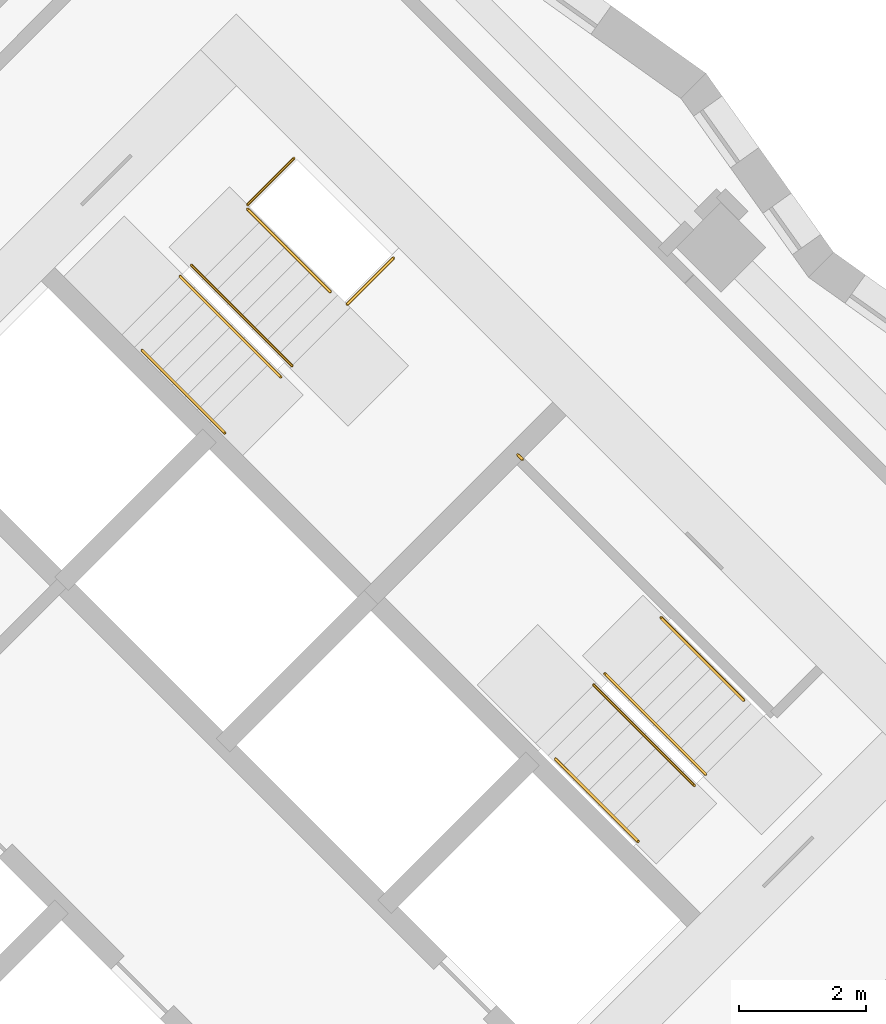
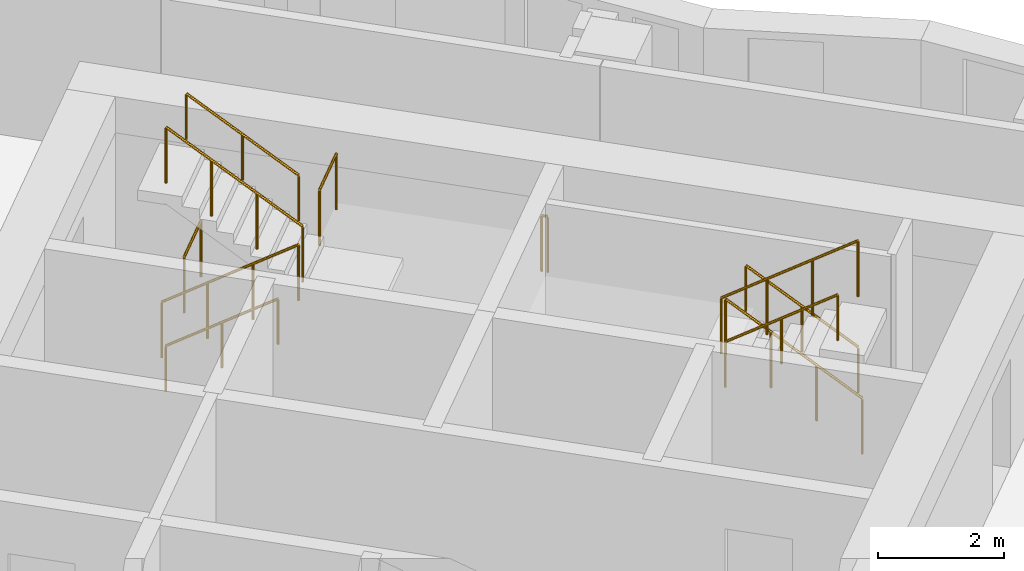
# One storey, part 13 of 13: 11 railings.
"""IFC4 building model written with IfcOpenShell, lengths in metres."""

from ifc_helpers import new_model, si_unit, direction, frame, origin, origin_2d, place, context, subcontext, project, spatial, circle, extrude, material, type_object, element, save


model = new_model("IFC4")

# Units and contexts
model_context = context("Model", 3, precision=1e-05, world=origin(), true_north=direction((0.0, 1.0)))
body_context = subcontext(model_context, "Body", "Model", "MODEL_VIEW")
ifc_project = project(units=[si_unit("LENGTHUNIT", "METRE"), si_unit("AREAUNIT", "SQUARE_METRE"), si_unit("VOLUMEUNIT", "CUBIC_METRE"), si_unit("PLANEANGLEUNIT", "RADIAN"), si_unit("MASSUNIT", "GRAM", prefix="KILO")], contexts=[model_context])

# Site, building, storey
site_placement = place(None, origin())
site = spatial("IfcSite", under=ifc_project, at=site_placement, CompositionType="ELEMENT")
building_placement = place(site_placement, origin())
building = spatial("IfcBuilding", under=site, at=building_placement, Name="Windrow Commons", CompositionType="ELEMENT")
storey_placement = place(building_placement, frame((0.0, 0.0, 111.8)))
storey = spatial("IfcBuildingStorey", under=building, at=storey_placement, Name="L30", CompositionType="ELEMENT", Elevation=111.8)

# Railings
ifc_material_1 = material(Name="Steel S355", Category="steel")
railing_type_1 = type_object("IfcRailingType", Name="Core stair guard 1100", PredefinedType="GUARDRAIL", material=ifc_material_1)
railing_1_placement = place(storey_placement, frame((85.9529, 56.2669, 0.1889)))
element("IfcRailing", 1, at=railing_1_placement, inside=storey, type_object=railing_type_1, Name="L30 ST-B1 stair guard 1", PredefinedType="GUARDRAIL", context=body_context, shape_type="SweptSolid", body=[
    extrude(circle(Radius=0.024, at=origin_2d()), frame((0.0, 0.0, 1.076), z_axis=(0.5861914914, -0.5861914914, 0.5592486664), x_axis=(0.7071067812, 0.7071067812, 0.0)), (0.0, 0.0, 1.0), 2.702),
    extrude(circle(Radius=0.021, at=origin_2d()), origin(), (0.0, 0.0, 1.0), 1.052),
    extrude(circle(Radius=0.021, at=origin_2d()), frame((0.528, -0.528, 0.5037)), (0.0, 0.0, 1.0), 1.052),
    extrude(circle(Radius=0.021, at=origin_2d()), frame((1.0559, -1.0559, 1.0074)), (0.0, 0.0, 1.0), 1.052),
    extrude(circle(Radius=0.021, at=origin_2d()), frame((1.5839, -1.5839, 1.5111)), (0.0, 0.0, 1.0), 1.052),
])
railing_2_placement = place(storey_placement, frame((87.7136, 54.8597, 1.8889)))
element("IfcRailing", 2, at=railing_2_placement, inside=storey, type_object=railing_type_1, Name="L30 ST-B1 stair guard 2", PredefinedType="GUARDRAIL", context=body_context, shape_type="SweptSolid", body=[
    extrude(circle(Radius=0.024, at=origin_2d()), frame((0.0, 0.0, 1.076), z_axis=(-0.5862030657, 0.5862030657, 0.5592244018), x_axis=(-0.7071067812, -0.7071067812, 0.0)), (0.0, 0.0, 1.0), 2.7021),
    extrude(circle(Radius=0.021, at=origin_2d()), origin(), (0.0, 0.0, 1.0), 1.052),
    extrude(circle(Radius=0.021, at=origin_2d()), frame((-0.528, 0.528, 0.5037)), (0.0, 0.0, 1.0), 1.052),
    extrude(circle(Radius=0.021, at=origin_2d()), frame((-1.056, 1.056, 1.0074)), (0.0, 0.0, 1.0), 1.052),
    extrude(circle(Radius=0.021, at=origin_2d()), frame((-1.584, 1.584, 1.5111)), (0.0, 0.0, 1.0), 1.052),
])
railing_3_placement = place(storey_placement, frame((87.0135, 57.3982, 0.0)))
element("IfcRailing", 3, at=railing_3_placement, inside=storey, type_object=railing_type_1, Name="L30 ST-B1 stair guard 3", PredefinedType="GUARDRAIL", context=body_context, shape_type="SweptSolid", body=[
    extrude(circle(Radius=0.024, at=origin_2d()), frame((0.0, 0.0, 1.076), z_axis=(0.7070582378, 0.7071553212, 0.0), x_axis=(-0.7071553212, 0.7070582378, 0.0)), (0.0, 0.0, 1.0), 1.03),
    extrude(circle(Radius=0.021, at=origin_2d()), origin(), (0.0, 0.0, 1.0), 1.052),
    extrude(circle(Radius=0.021, at=origin_2d()), frame((0.7283, 0.7284, 0.0)), (0.0, 0.0, 1.0), 1.052),
])
railing_4_placement = place(storey_placement, frame((88.5833, 55.8285, 1.7)))
element("IfcRailing", 4, at=railing_4_placement, inside=storey, type_object=railing_type_1, Name="L30 ST-B1 stair guard 4", PredefinedType="GUARDRAIL", context=body_context, shape_type="SweptSolid", body=[
    extrude(circle(Radius=0.024, at=origin_2d()), frame((0.0, 0.0, 1.076), z_axis=(0.7071067812, 0.7071067812, 0.0), x_axis=(-0.7071067812, 0.7071067812, 0.0)), (0.0, 0.0, 1.0), 1.03),
    extrude(circle(Radius=0.021, at=origin_2d()), origin(), (0.0, 0.0, 1.0), 1.052),
    extrude(circle(Radius=0.021, at=origin_2d()), frame((0.7283, 0.7283, 0.0)), (0.0, 0.0, 1.0), 1.052),
])
railing_5_placement = place(storey_placement, frame((94.2296, 48.4215, 0.1889)))
element("IfcRailing", 5, at=railing_5_placement, inside=storey, type_object=railing_type_1, Name="L30 ST-B2 stair guard 1", PredefinedType="GUARDRAIL", context=body_context, shape_type="SweptSolid", body=[
    extrude(circle(Radius=0.024, at=origin_2d()), frame((0.0, 0.0, 1.076), z_axis=(-0.5862157828, 0.5861787742, 0.5592365337), x_axis=(-0.7070844598, -0.7071291018, 0.0)), (0.0, 0.0, 1.0), 2.7021),
    extrude(circle(Radius=0.021, at=origin_2d()), origin(), (0.0, 0.0, 1.0), 1.052),
    extrude(circle(Radius=0.021, at=origin_2d()), frame((-0.528, 0.528, 0.5037)), (0.0, 0.0, 1.0), 1.052),
    extrude(circle(Radius=0.021, at=origin_2d()), frame((-1.056, 1.0559, 1.0074)), (0.0, 0.0, 1.0), 1.052),
    extrude(circle(Radius=0.021, at=origin_2d()), frame((-1.584, 1.5839, 1.5111)), (0.0, 0.0, 1.0), 1.052),
])
railing_6_placement = place(storey_placement, frame((92.4689, 49.8287, 1.8889)))
element("IfcRailing", 6, at=railing_6_placement, inside=storey, type_object=railing_type_1, Name="L30 ST-B2 stair guard 2", PredefinedType="GUARDRAIL", context=body_context, shape_type="SweptSolid", body=[
    extrude(circle(Radius=0.024, at=origin_2d()), frame((0.0, 0.0, 1.076), z_axis=(0.5861787742, -0.5862157828, 0.5592365337), x_axis=(0.7071291018, 0.7070844598, 0.0)), (0.0, 0.0, 1.0), 2.7021),
    extrude(circle(Radius=0.021, at=origin_2d()), origin(), (0.0, 0.0, 1.0), 1.052),
    extrude(circle(Radius=0.021, at=origin_2d()), frame((0.528, -0.528, 0.5037)), (0.0, 0.0, 1.0), 1.052),
    extrude(circle(Radius=0.021, at=origin_2d()), frame((1.0559, -1.056, 1.0074)), (0.0, 0.0, 1.0), 1.052),
    extrude(circle(Radius=0.021, at=origin_2d()), frame((1.5839, -1.584, 1.5111)), (0.0, 0.0, 1.0), 1.052),
])
railing_7_placement = place(storey_placement, frame((91.3446, 53.3854, 1.7)))
element("IfcRailing", 7, at=railing_7_placement, inside=storey, type_object=railing_type_1, Name="L30 ST-B2 stair guard 3", PredefinedType="GUARDRAIL", context=body_context, shape_type="SweptSolid", body=[
    extrude(circle(Radius=0.024, at=origin_2d()), frame((0.0, 0.0, 1.076), z_axis=(-0.7076063266, 0.7066068826, 0.0), x_axis=(-0.7066068826, -0.7076063266, 0.0)), (0.0, 0.0, 1.0), 0.1001),
    extrude(circle(Radius=0.021, at=origin_2d()), origin(), (0.0, 0.0, 1.0), 1.052),
    extrude(circle(Radius=0.021, at=origin_2d()), frame((-0.0708, 0.0707, 0.0)), (0.0, 0.0, 1.0), 1.052),
])
ifc_material_2 = material(Name="Steel S355", Category="steel")
railing_type_2 = type_object("IfcRailingType", Name="Core stair handrail 900", PredefinedType="HANDRAIL", material=ifc_material_2)
railing_8_placement = place(storey_placement, frame((85.3518, 55.1001, 0.4587)))
element("IfcRailing", 8, at=railing_8_placement, inside=storey, type_object=railing_type_2, Name="L30 ST-B1 stair handrail 1", PredefinedType="HANDRAIL", context=body_context, shape_type="SweptSolid", body=[
    extrude(circle(Radius=0.024, at=origin_2d()), frame((0.0, 0.0, 0.876), z_axis=(0.586206706, -0.5861616513, 0.5592639952), x_axis=(0.7070796062, 0.7071339551, 0.0)), (0.0, 0.0, 1.0), 2.2195),
    extrude(circle(Radius=0.021, at=origin_2d()), origin(), (0.0, 0.0, 1.0), 0.852),
    extrude(circle(Radius=0.021, at=origin_2d()), frame((0.6506, -0.6505, 0.6206)), (0.0, 0.0, 1.0), 0.852),
    extrude(circle(Radius=0.021, at=origin_2d()), frame((1.3011, -1.301, 1.2413)), (0.0, 0.0, 1.0), 0.852),
])
railing_9_placement = place(storey_placement, frame((88.3146, 56.0265, 2.1587)))
element("IfcRailing", 9, at=railing_9_placement, inside=storey, type_object=railing_type_2, Name="L30 ST-B1 stair handrail 2", PredefinedType="HANDRAIL", context=body_context, shape_type="SweptSolid", body=[
    extrude(circle(Radius=0.024, at=origin_2d()), frame((0.0, 0.0, 0.876), z_axis=(-0.586206706, 0.5861616513, 0.5592639952), x_axis=(-0.7070796062, -0.7071339551, 0.0)), (0.0, 0.0, 1.0), 2.2195),
    extrude(circle(Radius=0.021, at=origin_2d()), origin(), (0.0, 0.0, 1.0), 0.852),
    extrude(circle(Radius=0.021, at=origin_2d()), frame((-0.6506, 0.6505, 0.6207)), (0.0, 0.0, 1.0), 0.852),
    extrude(circle(Radius=0.021, at=origin_2d()), frame((-1.3011, 1.301, 1.2413)), (0.0, 0.0, 1.0), 0.852),
])
railing_10_placement = place(storey_placement, frame((94.8306, 49.5883, 0.4587)))
element("IfcRailing", 10, at=railing_10_placement, inside=storey, type_object=railing_type_2, Name="L30 ST-B2 stair handrail 1", PredefinedType="HANDRAIL", context=body_context, shape_type="SweptSolid", body=[
    extrude(circle(Radius=0.024, at=origin_2d()), frame((0.0, 0.0, 0.876), z_axis=(-0.586206706, 0.5861616513, 0.5592639952), x_axis=(-0.7070796062, -0.7071339551, 0.0)), (0.0, 0.0, 1.0), 2.2195),
    extrude(circle(Radius=0.021, at=origin_2d()), origin(), (0.0, 0.0, 1.0), 0.852),
    extrude(circle(Radius=0.021, at=origin_2d()), frame((-0.6506, 0.6505, 0.6206)), (0.0, 0.0, 1.0), 0.852),
    extrude(circle(Radius=0.021, at=origin_2d()), frame((-1.3011, 1.301, 1.2413)), (0.0, 0.0, 1.0), 0.852),
])
railing_11_placement = place(storey_placement, frame((91.8678, 48.6619, 2.1587)))
element("IfcRailing", 11, at=railing_11_placement, inside=storey, type_object=railing_type_2, Name="L30 ST-B2 stair handrail 2", PredefinedType="HANDRAIL", context=body_context, shape_type="SweptSolid", body=[
    extrude(circle(Radius=0.024, at=origin_2d()), frame((0.0, 0.0, 0.876), z_axis=(0.586206706, -0.5861616513, 0.5592639952), x_axis=(0.7070796062, 0.7071339551, 0.0)), (0.0, 0.0, 1.0), 2.2195),
    extrude(circle(Radius=0.021, at=origin_2d()), origin(), (0.0, 0.0, 1.0), 0.852),
    extrude(circle(Radius=0.021, at=origin_2d()), frame((0.6505, -0.6505, 0.6207)), (0.0, 0.0, 1.0), 0.852),
    extrude(circle(Radius=0.021, at=origin_2d()), frame((1.3011, -1.301, 1.2413)), (0.0, 0.0, 1.0), 0.852),
])

save(model, "model.ifc")
